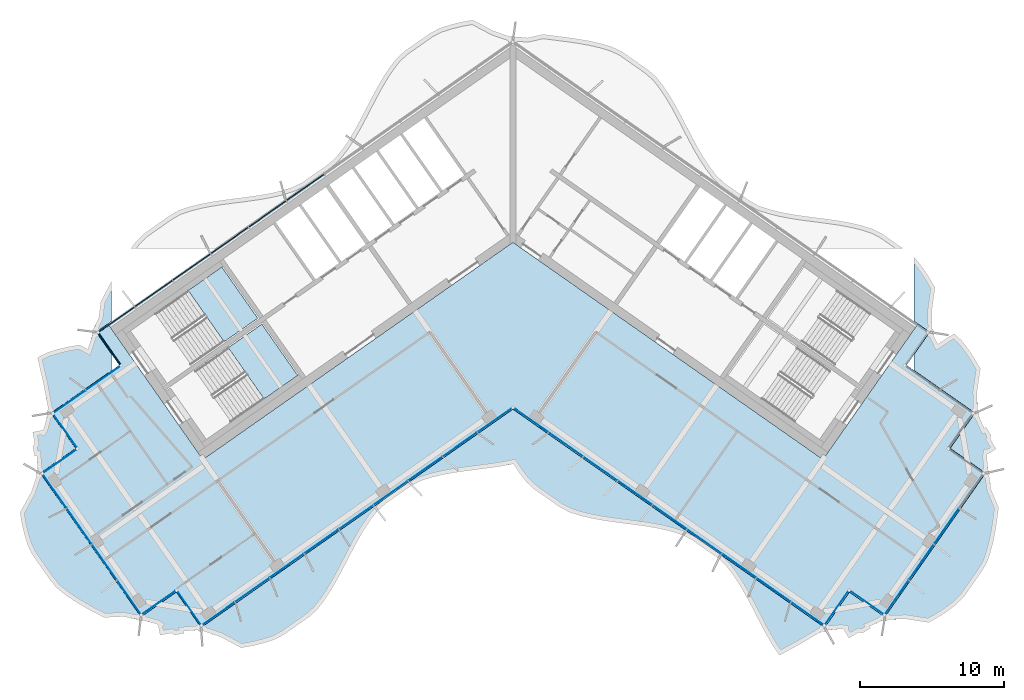
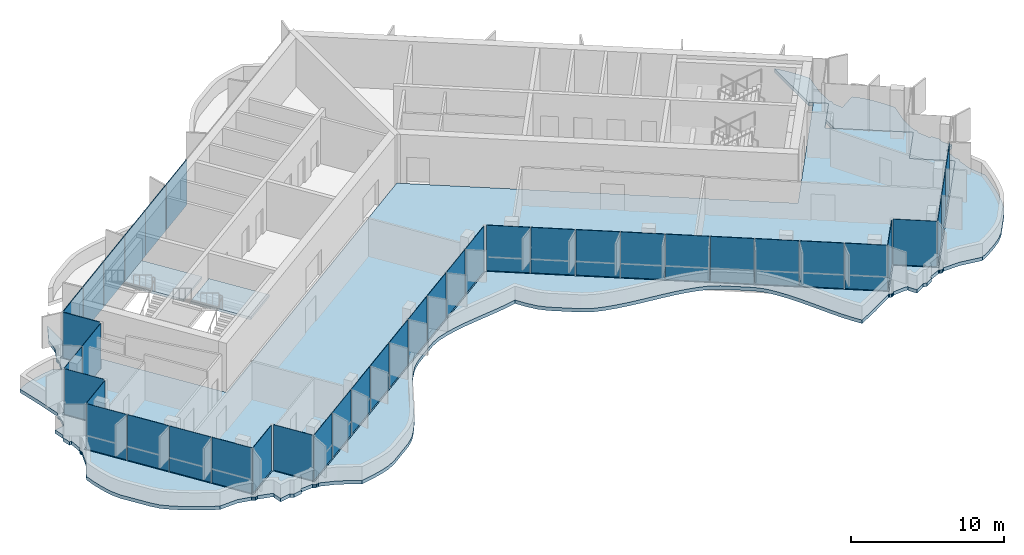
# One storey, part 9 of 19: 40 plates, 4 slabs, 4 elements without a shape of their own.
"""IFC4 building model written with IfcOpenShell, lengths in metres."""

from ifc_helpers import new_model, si_unit, direction, frame, origin, origin_2d, place, context, subcontext, project, spatial, polyline, rectangle, outline, extrude, material, layer, layer_set, type_object, element, aggregate, save


model = new_model("IFC4")

# Units and contexts
model_context = context("Model", 3, precision=1e-05, world=origin(), true_north=direction((0.0, 1.0)))
body_context = subcontext(model_context, "Body", "Model", "MODEL_VIEW")
ifc_project = project(units=[si_unit("LENGTHUNIT", "METRE"), si_unit("AREAUNIT", "SQUARE_METRE"), si_unit("VOLUMEUNIT", "CUBIC_METRE"), si_unit("PLANEANGLEUNIT", "RADIAN"), si_unit("MASSUNIT", "GRAM", prefix="KILO")], contexts=[model_context])

# Site, building, storey
site_placement = place(None, origin())
site = spatial("IfcSite", under=ifc_project, at=site_placement, CompositionType="ELEMENT")
building_placement = place(site_placement, origin())
building = spatial("IfcBuilding", under=site, at=building_placement, Name="Tel Ilan Convention Tower", CompositionType="ELEMENT")
storey_placement = place(building_placement, frame((0.0, 0.0, 241.0)))
storey = spatial("IfcBuildingStorey", under=building, at=storey_placement, Name="L56", CompositionType="ELEMENT", Elevation=241.0)

# Curtain wall, plates
ifc_material_1 = material(Name="Aluminium, bronze anodised", Category="aluminium")
curtain_wall_type_1 = type_object("IfcCurtainWallType", Name="CW2 STICK CURTAIN WALL, SPANDREL PANELS", PredefinedType="NOTDEFINED", material=ifc_material_1)
curtain_wall_1_placement = place(storey_placement, origin())
curtain_wall_1 = element("IfcCurtainWall", 1, at=curtain_wall_1_placement, inside=storey, type_object=curtain_wall_type_1, Name="Curtain wall CW2-43.01", PredefinedType="NOTDEFINED")
ifc_material_2 = material(Name="Aluminium composite panel, bronze anodised", Category="aluminium")
ifc_layer_1 = layer(ifc_material_2, 0.06005859375)
ifc_layer_set_1 = layer_set([ifc_layer_1], Name="CW SPANDREL PANEL 60")
plate_type_1 = type_object("IfcPlateType", Name="CW SPANDREL PANEL 60", PredefinedType="CURTAIN_PANEL", material=ifc_layer_set_1)
plate_1_placement = place(storey_placement, frame((-14.422119140625, 2.59765625, 0.0), z_axis=(0.0, 0.0, 1.0), x_axis=(-0.819152044289, -0.573576436351, 0.0)))
plate_1 = element("IfcPlate", 2, at=plate_1_placement, type_object=plate_type_1, Name="Spandrel panel", PredefinedType="CURTAIN_PANEL", context=body_context, shape_type="SweptSolid", body=[
    extrude(rectangle(XDim=3.15380859375, YDim=0.06005859375, at=origin_2d()), origin(), (0.0, 0.0, 1.0), 3.6201171875),
])
plate_2_placement = place(storey_placement, frame((-17.0546875, 0.754150390625, 0.0), z_axis=(0.0, 0.0, 1.0), x_axis=(-0.819152044289, -0.573576436351, 0.0)))
plate_2 = element("IfcPlate", 3, at=plate_2_placement, type_object=plate_type_1, Name="Spandrel panel", PredefinedType="CURTAIN_PANEL", context=body_context, shape_type="SweptSolid", body=[
    extrude(rectangle(XDim=3.15380859375, YDim=0.06005859375, at=origin_2d()), origin(), (0.0, 0.0, 1.0), 3.6201171875),
])
plate_3_placement = place(storey_placement, frame((-19.687255859375, -1.089111328125, 0.0), z_axis=(0.0, 0.0, 1.0), x_axis=(-0.819152044289, -0.573576436351, 0.0)))
plate_3 = element("IfcPlate", 4, at=plate_3_placement, type_object=plate_type_1, Name="Spandrel panel", PredefinedType="CURTAIN_PANEL", context=body_context, shape_type="SweptSolid", body=[
    extrude(rectangle(XDim=3.15380859375, YDim=0.06005859375, at=origin_2d()), origin(), (0.0, 0.0, 1.0), 3.6201171875),
])
plate_4_placement = place(storey_placement, frame((-22.31982421875, -2.9326171875, 0.0), z_axis=(0.0, 0.0, 1.0), x_axis=(-0.819152044289, -0.573576436351, 0.0)))
plate_4 = element("IfcPlate", 5, at=plate_4_placement, type_object=plate_type_1, Name="Spandrel panel", PredefinedType="CURTAIN_PANEL", context=body_context, shape_type="SweptSolid", body=[
    extrude(rectangle(XDim=3.15380859375, YDim=0.06005859375, at=origin_2d()), origin(), (0.0, 0.0, 1.0), 3.6201171875),
])
plate_5_placement = place(storey_placement, frame((-24.95263671875, -4.77587890625, 0.0), z_axis=(0.0, 0.0, 1.0), x_axis=(-0.819152044289, -0.573576436351, 0.0)))
plate_5 = element("IfcPlate", 6, at=plate_5_placement, type_object=plate_type_1, Name="Spandrel panel", PredefinedType="CURTAIN_PANEL", context=body_context, shape_type="SweptSolid", body=[
    extrude(rectangle(XDim=3.15380859375, YDim=0.06005859375, at=origin_2d()), origin(), (0.0, 0.0, 1.0), 3.6201171875),
])
plate_6_placement = place(storey_placement, frame((-27.5400390625, -6.587646484375, 0.0), z_axis=(0.0, 0.0, 1.0), x_axis=(-0.819152044289, -0.573576436351, 0.0)))
plate_6 = element("IfcPlate", 7, at=plate_6_placement, type_object=plate_type_1, Name="Spandrel panel", PredefinedType="CURTAIN_PANEL", context=body_context, shape_type="SweptSolid", body=[
    extrude(rectangle(XDim=3.0439453125, YDim=0.06005859375, at=origin_2d()), origin(), (0.0, 0.0, 1.0), 3.6201171875),
])
plate_7_placement = place(storey_placement, frame((-28.033935546875, -8.60546875, 0.0), z_axis=(0.0, 0.0, 1.0), x_axis=(0.573576436351, -0.819152044289, 0.0)))
plate_7 = element("IfcPlate", 8, at=plate_7_placement, type_object=plate_type_1, Name="Spandrel panel", PredefinedType="CURTAIN_PANEL", context=body_context, shape_type="SweptSolid", body=[
    extrude(rectangle(XDim=2.658935546875, YDim=0.06005859375, at=origin_2d()), origin(), (0.0, 0.0, 1.0), 3.6201171875),
])
aggregate(curtain_wall_1, [plate_1, plate_2, plate_3, plate_4, plate_5, plate_6, plate_7])

ifc_material_3 = material(Name="Aluminium, bronze anodised", Category="aluminium")
curtain_wall_type_2 = type_object("IfcCurtainWallType", Name="CW5 STICK CURTAIN WALL, UPPER OFFICE LOW-IRON TINTED GLASS", PredefinedType="NOTDEFINED", material=ifc_material_3)
curtain_wall_2_placement = place(storey_placement, origin())
curtain_wall_2 = element("IfcCurtainWall", 9, at=curtain_wall_2_placement, inside=storey, type_object=curtain_wall_type_2, Name="Curtain wall CW5-43.02", PredefinedType="NOTDEFINED")
ifc_material_4 = material(Name="Glass, low-iron bronze tinted, two-ply", Category="glass")
ifc_layer_2 = layer(ifc_material_4, 0.031982421875)
ifc_layer_set_2 = layer_set([ifc_layer_2], Name="CW UPPER GLASS PANEL 32")
plate_type_2 = type_object("IfcPlateType", Name="CW UPPER GLASS PANEL 32", PredefinedType="CURTAIN_PANEL", material=ifc_layer_set_2)
plate_8_placement = place(storey_placement, frame((-28.471435546875, -10.657958984375, 0.0), z_axis=(0.0, 0.0, 1.0), x_axis=(-0.819152044289, -0.573576436351, 0.0)))
plate_8 = element("IfcPlate", 10, at=plate_8_placement, type_object=plate_type_2, Name="Glass panel", PredefinedType="CURTAIN_PANEL", context=body_context, shape_type="SweptSolid", body=[
    extrude(rectangle(XDim=2.868896484375, YDim=0.028076171875, at=origin_2d()), origin(), (0.0, 0.0, 1.0), 3.6201171875),
])
plate_9_placement = place(storey_placement, frame((-30.8203125, -12.302734375, 0.0), z_axis=(0.0, 0.0, 1.0), x_axis=(-0.819152044289, -0.573576436351, 0.0)))
plate_9 = element("IfcPlate", 11, at=plate_9_placement, type_object=plate_type_2, Name="Glass panel", PredefinedType="CURTAIN_PANEL", context=body_context, shape_type="SweptSolid", body=[
    extrude(rectangle(XDim=2.74609375, YDim=0.028076171875, at=origin_2d()), origin(), (0.0, 0.0, 1.0), 3.6201171875),
])
plate_10_placement = place(storey_placement, frame((-31.126220703125, -14.30126953125, 0.0), z_axis=(0.0, 0.0, 1.0), x_axis=(0.573576436351, -0.819152044289, 0.0)))
plate_10 = element("IfcPlate", 12, at=plate_10_placement, type_object=plate_type_2, Name="Glass panel", PredefinedType="CURTAIN_PANEL", context=body_context, shape_type="SweptSolid", body=[
    extrude(rectangle(XDim=2.875, YDim=0.028076171875, at=origin_2d()), origin(), (0.0, 0.0, 1.0), 3.6201171875),
])
plate_11_placement = place(storey_placement, frame((-31.504150390625, -16.44384765625, 0.0), z_axis=(0.0, 0.0, 1.0), x_axis=(-0.819152044289, -0.573576436351, 0.0)))
plate_11 = element("IfcPlate", 13, at=plate_11_placement, type_object=plate_type_2, Name="Glass panel", PredefinedType="CURTAIN_PANEL", context=body_context, shape_type="SweptSolid", body=[
    extrude(rectangle(XDim=2.875, YDim=0.028076171875, at=origin_2d()), origin(), (0.0, 0.0, 1.0), 3.6201171875),
])
plate_12_placement = place(storey_placement, frame((-31.85693359375, -18.488037109375, 0.0), z_axis=(0.0, 0.0, 1.0), x_axis=(0.573576436351, -0.819152044289, 0.0)))
plate_12 = element("IfcPlate", 14, at=plate_12_placement, type_object=plate_type_2, Name="Glass panel", PredefinedType="CURTAIN_PANEL", context=body_context, shape_type="SweptSolid", body=[
    extrude(rectangle(XDim=2.89599609375, YDim=0.028076171875, at=origin_2d()), origin(), (0.0, 0.0, 1.0), 3.6201171875),
])
plate_13_placement = place(storey_placement, frame((-30.134521484375, -20.94775390625, 0.0), z_axis=(0.0, 0.0, 1.0), x_axis=(0.573576436351, -0.819152044289, 0.0)))
plate_13 = element("IfcPlate", 15, at=plate_13_placement, type_object=plate_type_2, Name="Glass panel", PredefinedType="CURTAIN_PANEL", context=body_context, shape_type="SweptSolid", body=[
    extrude(rectangle(XDim=2.989990234375, YDim=0.028076171875, at=origin_2d()), origin(), (0.0, 0.0, 1.0), 3.6201171875),
])
plate_14_placement = place(storey_placement, frame((-28.38525390625, -23.4462890625, 0.0), z_axis=(0.0, 0.0, 1.0), x_axis=(0.573576436351, -0.819152044289, 0.0)))
plate_14 = element("IfcPlate", 16, at=plate_14_placement, type_object=plate_type_2, Name="Glass panel", PredefinedType="CURTAIN_PANEL", context=body_context, shape_type="SweptSolid", body=[
    extrude(rectangle(XDim=2.989990234375, YDim=0.028076171875, at=origin_2d()), origin(), (0.0, 0.0, 1.0), 3.6201171875),
])
plate_15_placement = place(storey_placement, frame((-26.66259765625, -25.90625, 0.0), z_axis=(0.0, 0.0, 1.0), x_axis=(0.573576436351, -0.819152044289, 0.0)))
plate_15 = element("IfcPlate", 17, at=plate_15_placement, type_object=plate_type_2, Name="Glass panel", PredefinedType="CURTAIN_PANEL", context=body_context, shape_type="SweptSolid", body=[
    extrude(rectangle(XDim=2.89599609375, YDim=0.028076171875, at=origin_2d()), origin(), (0.0, 0.0, 1.0), 3.6201171875),
])
plate_16_placement = place(storey_placement, frame((-24.621337890625, -26.273681640625, 0.0), z_axis=(0.0, 0.0, 1.0), x_axis=(0.819152044289, 0.573576436351, 0.0)))
plate_16 = element("IfcPlate", 18, at=plate_16_placement, type_object=plate_type_2, Name="Glass panel", PredefinedType="CURTAIN_PANEL", context=body_context, shape_type="SweptSolid", body=[
    extrude(rectangle(XDim=2.875, YDim=0.028076171875, at=origin_2d()), origin(), (0.0, 0.0, 1.0), 3.6201171875),
])
plate_17_placement = place(storey_placement, frame((-22.478515625, -26.651611328125, 0.0), z_axis=(0.0, 0.0, 1.0), x_axis=(0.573576436351, -0.819152044289, 0.0)))
plate_17 = element("IfcPlate", 19, at=plate_17_placement, type_object=plate_type_2, Name="Glass panel", PredefinedType="CURTAIN_PANEL", context=body_context, shape_type="SweptSolid", body=[
    extrude(rectangle(XDim=2.875, YDim=0.028076171875, at=origin_2d()), origin(), (0.0, 0.0, 1.0), 3.6201171875),
])
plate_18_placement = place(storey_placement, frame((-20.47998046875, -27.036376953125, 0.0), z_axis=(0.0, 0.0, 1.0), x_axis=(0.819152044289, 0.573576436351, 0.0)))
plate_18 = element("IfcPlate", 20, at=plate_18_placement, type_object=plate_type_2, Name="Glass panel", PredefinedType="CURTAIN_PANEL", context=body_context, shape_type="SweptSolid", body=[
    extrude(rectangle(XDim=2.78466796875, YDim=0.028076171875, at=origin_2d()), origin(), (0.0, 0.0, 1.0), 3.6201171875),
])
plate_19_placement = place(storey_placement, frame((-18.111328125, -25.377685546875, 0.0), z_axis=(0.0, 0.0, 1.0), x_axis=(0.819152044289, 0.573576436351, 0.0)))
plate_19 = element("IfcPlate", 21, at=plate_19_placement, type_object=plate_type_2, Name="Glass panel", PredefinedType="CURTAIN_PANEL", context=body_context, shape_type="SweptSolid", body=[
    extrude(rectangle(XDim=2.878662109375, YDim=0.028076171875, at=origin_2d()), origin(), (0.0, 0.0, 1.0), 3.6201171875),
])
plate_20_placement = place(storey_placement, frame((-15.7041015625, -23.692138671875, 0.0), z_axis=(0.0, 0.0, 1.0), x_axis=(0.819152044289, 0.573576436351, 0.0)))
plate_20 = element("IfcPlate", 22, at=plate_20_placement, type_object=plate_type_2, Name="Glass panel", PredefinedType="CURTAIN_PANEL", context=body_context, shape_type="SweptSolid", body=[
    extrude(rectangle(XDim=2.878662109375, YDim=0.028076171875, at=origin_2d()), origin(), (0.0, 0.0, 1.0), 3.6201171875),
])
plate_21_placement = place(storey_placement, frame((-13.296875, -22.006591796875, 0.0), z_axis=(0.0, 0.0, 1.0), x_axis=(0.819152044289, 0.573576436351, 0.0)))
plate_21 = element("IfcPlate", 23, at=plate_21_placement, type_object=plate_type_2, Name="Glass panel", PredefinedType="CURTAIN_PANEL", context=body_context, shape_type="SweptSolid", body=[
    extrude(rectangle(XDim=2.878662109375, YDim=0.028076171875, at=origin_2d()), origin(), (0.0, 0.0, 1.0), 3.6201171875),
])
plate_22_placement = place(storey_placement, frame((-10.8896484375, -20.321044921875, 0.0), z_axis=(0.0, 0.0, 1.0), x_axis=(0.819152044289, 0.573576436351, 0.0)))
plate_22 = element("IfcPlate", 24, at=plate_22_placement, type_object=plate_type_2, Name="Glass panel", PredefinedType="CURTAIN_PANEL", context=body_context, shape_type="SweptSolid", body=[
    extrude(rectangle(XDim=2.878662109375, YDim=0.028076171875, at=origin_2d()), origin(), (0.0, 0.0, 1.0), 3.6201171875),
])
plate_23_placement = place(storey_placement, frame((-8.482666015625, -18.635498046875, 0.0), z_axis=(0.0, 0.0, 1.0), x_axis=(0.819152044289, 0.573576436351, 0.0)))
plate_23 = element("IfcPlate", 25, at=plate_23_placement, type_object=plate_type_2, Name="Glass panel", PredefinedType="CURTAIN_PANEL", context=body_context, shape_type="SweptSolid", body=[
    extrude(rectangle(XDim=2.878662109375, YDim=0.028076171875, at=origin_2d()), origin(), (0.0, 0.0, 1.0), 3.6201171875),
])
plate_24_placement = place(storey_placement, frame((-6.075439453125, -16.949951171875, 0.0), z_axis=(0.0, 0.0, 1.0), x_axis=(0.819152044289, 0.573576436351, 0.0)))
plate_24 = element("IfcPlate", 26, at=plate_24_placement, type_object=plate_type_2, Name="Glass panel", PredefinedType="CURTAIN_PANEL", context=body_context, shape_type="SweptSolid", body=[
    extrude(rectangle(XDim=2.878662109375, YDim=0.028076171875, at=origin_2d()), origin(), (0.0, 0.0, 1.0), 3.6201171875),
])
plate_25_placement = place(storey_placement, frame((-3.668212890625, -15.264404296875, 0.0), z_axis=(0.0, 0.0, 1.0), x_axis=(0.819152044289, 0.573576436351, 0.0)))
plate_25 = element("IfcPlate", 27, at=plate_25_placement, type_object=plate_type_2, Name="Glass panel", PredefinedType="CURTAIN_PANEL", context=body_context, shape_type="SweptSolid", body=[
    extrude(rectangle(XDim=2.878662109375, YDim=0.028076171875, at=origin_2d()), origin(), (0.0, 0.0, 1.0), 3.6201171875),
])
plate_26_placement = place(storey_placement, frame((-1.261474609375, -13.579345703125, 0.0), z_axis=(0.0, 0.0, 1.0), x_axis=(0.819152044289, 0.573576436351, 0.0)))
plate_26 = element("IfcPlate", 28, at=plate_26_placement, type_object=plate_type_2, Name="Glass panel", PredefinedType="CURTAIN_PANEL", context=body_context, shape_type="SweptSolid", body=[
    extrude(rectangle(XDim=2.877685546875, YDim=0.028076171875, at=origin_2d()), origin(), (0.0, 0.0, 1.0), 3.6201171875),
])
plate_27_placement = place(storey_placement, frame((1.27294921875, -13.58740234375, 0.0), z_axis=(0.0, 0.0, 1.0), x_axis=(0.819152044289, -0.573576436351, 0.0)))
plate_27 = element("IfcPlate", 29, at=plate_27_placement, type_object=plate_type_2, Name="Glass panel", PredefinedType="CURTAIN_PANEL", context=body_context, shape_type="SweptSolid", body=[
    extrude(rectangle(XDim=2.849609375, YDim=0.028076171875, at=origin_2d()), origin(), (0.0, 0.0, 1.0), 3.6201171875),
])
plate_28_placement = place(storey_placement, frame((3.668212890625, -15.264404296875, 0.0), z_axis=(0.0, 0.0, 1.0), x_axis=(0.819152044289, -0.573576436351, 0.0)))
plate_28 = element("IfcPlate", 30, at=plate_28_placement, type_object=plate_type_2, Name="Glass panel", PredefinedType="CURTAIN_PANEL", context=body_context, shape_type="SweptSolid", body=[
    extrude(rectangle(XDim=2.878662109375, YDim=0.028076171875, at=origin_2d()), origin(), (0.0, 0.0, 1.0), 3.6201171875),
])
plate_29_placement = place(storey_placement, frame((6.075439453125, -16.949951171875, 0.0), z_axis=(0.0, 0.0, 1.0), x_axis=(0.819152044289, -0.573576436351, 0.0)))
plate_29 = element("IfcPlate", 31, at=plate_29_placement, type_object=plate_type_2, Name="Glass panel", PredefinedType="CURTAIN_PANEL", context=body_context, shape_type="SweptSolid", body=[
    extrude(rectangle(XDim=2.878662109375, YDim=0.028076171875, at=origin_2d()), origin(), (0.0, 0.0, 1.0), 3.6201171875),
])
plate_30_placement = place(storey_placement, frame((8.482666015625, -18.635498046875, 0.0), z_axis=(0.0, 0.0, 1.0), x_axis=(0.819152044289, -0.573576436351, 0.0)))
plate_30 = element("IfcPlate", 32, at=plate_30_placement, type_object=plate_type_2, Name="Glass panel", PredefinedType="CURTAIN_PANEL", context=body_context, shape_type="SweptSolid", body=[
    extrude(rectangle(XDim=2.878662109375, YDim=0.028076171875, at=origin_2d()), origin(), (0.0, 0.0, 1.0), 3.6201171875),
])
plate_31_placement = place(storey_placement, frame((10.8896484375, -20.321044921875, 0.0), z_axis=(0.0, 0.0, 1.0), x_axis=(0.819152044289, -0.573576436351, 0.0)))
plate_31 = element("IfcPlate", 33, at=plate_31_placement, type_object=plate_type_2, Name="Glass panel", PredefinedType="CURTAIN_PANEL", context=body_context, shape_type="SweptSolid", body=[
    extrude(rectangle(XDim=2.878662109375, YDim=0.028076171875, at=origin_2d()), origin(), (0.0, 0.0, 1.0), 3.6201171875),
])
plate_32_placement = place(storey_placement, frame((13.296875, -22.006591796875, 0.0), z_axis=(0.0, 0.0, 1.0), x_axis=(0.819152044289, -0.573576436351, 0.0)))
plate_32 = element("IfcPlate", 34, at=plate_32_placement, type_object=plate_type_2, Name="Glass panel", PredefinedType="CURTAIN_PANEL", context=body_context, shape_type="SweptSolid", body=[
    extrude(rectangle(XDim=2.878662109375, YDim=0.028076171875, at=origin_2d()), origin(), (0.0, 0.0, 1.0), 3.6201171875),
])
plate_33_placement = place(storey_placement, frame((15.7041015625, -23.692138671875, 0.0), z_axis=(0.0, 0.0, 1.0), x_axis=(0.819152044289, -0.573576436351, 0.0)))
plate_33 = element("IfcPlate", 35, at=plate_33_placement, type_object=plate_type_2, Name="Glass panel", PredefinedType="CURTAIN_PANEL", context=body_context, shape_type="SweptSolid", body=[
    extrude(rectangle(XDim=2.878662109375, YDim=0.028076171875, at=origin_2d()), origin(), (0.0, 0.0, 1.0), 3.6201171875),
])
plate_34_placement = place(storey_placement, frame((18.111328125, -25.377685546875, 0.0), z_axis=(0.0, 0.0, 1.0), x_axis=(0.819152044289, -0.573576436351, 0.0)))
plate_34 = element("IfcPlate", 36, at=plate_34_placement, type_object=plate_type_2, Name="Glass panel", PredefinedType="CURTAIN_PANEL", context=body_context, shape_type="SweptSolid", body=[
    extrude(rectangle(XDim=2.878662109375, YDim=0.028076171875, at=origin_2d()), origin(), (0.0, 0.0, 1.0), 3.6201171875),
])
plate_35_placement = place(storey_placement, frame((20.47998046875, -27.036376953125, 0.0), z_axis=(0.0, 0.0, 1.0), x_axis=(0.819152044289, -0.573576436351, 0.0)))
plate_35 = element("IfcPlate", 37, at=plate_35_placement, type_object=plate_type_2, Name="Glass panel", PredefinedType="CURTAIN_PANEL", context=body_context, shape_type="SweptSolid", body=[
    extrude(rectangle(XDim=2.78466796875, YDim=0.028076171875, at=origin_2d()), origin(), (0.0, 0.0, 1.0), 3.6201171875),
])
plate_36_placement = place(storey_placement, frame((22.478515625, -26.651611328125, 0.0), z_axis=(0.0, 0.0, 1.0), x_axis=(0.573576436351, 0.819152044289, 0.0)))
plate_36 = element("IfcPlate", 38, at=plate_36_placement, type_object=plate_type_2, Name="Glass panel", PredefinedType="CURTAIN_PANEL", context=body_context, shape_type="SweptSolid", body=[
    extrude(rectangle(XDim=2.875, YDim=0.028076171875, at=origin_2d()), origin(), (0.0, 0.0, 1.0), 3.6201171875),
])
plate_37_placement = place(storey_placement, frame((24.621337890625, -26.273681640625, 0.0), z_axis=(0.0, 0.0, 1.0), x_axis=(0.819152044289, -0.573576436351, 0.0)))
plate_37 = element("IfcPlate", 39, at=plate_37_placement, type_object=plate_type_2, Name="Glass panel", PredefinedType="CURTAIN_PANEL", context=body_context, shape_type="SweptSolid", body=[
    extrude(rectangle(XDim=2.875, YDim=0.028076171875, at=origin_2d()), origin(), (0.0, 0.0, 1.0), 3.6201171875),
])
plate_38_placement = place(storey_placement, frame((26.66259765625, -25.90625, 0.0), z_axis=(0.0, 0.0, 1.0), x_axis=(0.573576436351, 0.819152044289, 0.0)))
plate_38 = element("IfcPlate", 40, at=plate_38_placement, type_object=plate_type_2, Name="Glass panel", PredefinedType="CURTAIN_PANEL", context=body_context, shape_type="SweptSolid", body=[
    extrude(rectangle(XDim=2.89599609375, YDim=0.028076171875, at=origin_2d()), origin(), (0.0, 0.0, 1.0), 3.6201171875),
])
plate_39_placement = place(storey_placement, frame((28.38525390625, -23.4462890625, 0.0), z_axis=(0.0, 0.0, 1.0), x_axis=(0.573576436351, 0.819152044289, 0.0)))
plate_39 = element("IfcPlate", 41, at=plate_39_placement, type_object=plate_type_2, Name="Glass panel", PredefinedType="CURTAIN_PANEL", context=body_context, shape_type="SweptSolid", body=[
    extrude(rectangle(XDim=2.989990234375, YDim=0.028076171875, at=origin_2d()), origin(), (0.0, 0.0, 1.0), 3.6201171875),
])
plate_40_placement = place(storey_placement, frame((30.134521484375, -20.94775390625, 0.0), z_axis=(0.0, 0.0, 1.0), x_axis=(0.573576436351, 0.819152044289, 0.0)))
plate_40 = element("IfcPlate", 42, at=plate_40_placement, type_object=plate_type_2, Name="Glass panel", PredefinedType="CURTAIN_PANEL", context=body_context, shape_type="SweptSolid", body=[
    extrude(rectangle(XDim=2.989990234375, YDim=0.028076171875, at=origin_2d()), origin(), (0.0, 0.0, 1.0), 3.6201171875),
])
aggregate(curtain_wall_2, [plate_8, plate_9, plate_10, plate_11, plate_12, plate_13, plate_14, plate_15, plate_16, plate_17, plate_18, plate_19, plate_20, plate_21, plate_22, plate_23, plate_24, plate_25, plate_26, plate_27, plate_28, plate_29, plate_30, plate_31, plate_32, plate_33, plate_34, plate_35, plate_36, plate_37, plate_38, plate_39, plate_40])

# Stair, slab
ifc_material_5 = material(Name="Concrete C40/50", Category="concrete")
stair_type = type_object("IfcStairType", Name="Pressurised Exit Stair 22 risers 177 mm", PredefinedType="HALF_TURN_STAIR", material=ifc_material_5)
stair_1_placement = place(storey_placement, origin())
stair_1 = element("IfcStair", 43, at=stair_1_placement, inside=storey, type_object=stair_type, Name="L56 Pressurised Stair S1", PredefinedType="HALF_TURN_STAIR")
ifc_material_6 = material(Name="Concrete C40/50", Category="concrete")
ifc_layer_3 = layer(ifc_material_6, 0.199951171875)
ifc_layer_set_3 = layer_set([ifc_layer_3], Name="Concrete Stair Landing 200 mm C40/50")
slab_type_1 = type_object("IfcSlabType", Name="Concrete Stair Landing 200 mm", PredefinedType="LANDING", material=ifc_layer_set_3)
slab_1_placement = place(storey_placement, frame((0.0, 0.0, 1.75)))
slab_1 = element("IfcSlab", 44, at=slab_1_placement, type_object=slab_type_1, Name="S1 landing 1", PredefinedType="LANDING", context=body_context, shape_type="SweptSolid", body=[
    extrude(outline(polyline([(-20.066650390625, -8.130126953125), (-17.7314453125, -6.494873046875), (-20.226318359375, -2.931640625), (-22.561767578125, -4.566650390625), (-20.066650390625, -8.130126953125)])), origin(), (0.0, 0.0, 1.0), 0.199951171875),
])
aggregate(stair_1, [slab_1])

stair_2_placement = place(storey_placement, origin())
stair_2 = element("IfcStair", 45, at=stair_2_placement, inside=storey, type_object=stair_type, Name="L56 Pressurised Stair S2", PredefinedType="HALF_TURN_STAIR")
slab_2_placement = place(storey_placement, frame((0.0, 0.0, 1.75)))
slab_2 = element("IfcSlab", 46, at=slab_2_placement, type_object=slab_type_1, Name="S2 landing 1", PredefinedType="LANDING", context=body_context, shape_type="SweptSolid", body=[
    extrude(outline(polyline([(-17.28466796875, -12.10302734375), (-14.949462890625, -10.4677734375), (-17.444580078125, -6.904541015625), (-19.77978515625, -8.53955078125), (-17.28466796875, -12.10302734375)])), origin(), (0.0, 0.0, 1.0), 0.199951171875),
])
aggregate(stair_2, [slab_2])

# Slabs
ifc_material_7 = material(Name="Concrete C40/50", Category="concrete")
ifc_layer_4 = layer(ifc_material_7, 0.280029296875)
ifc_layer_set_4 = layer_set([ifc_layer_4], Name="Edge Ledge Slab 280 mm C40/50")
slab_type_2 = type_object("IfcSlabType", Name="Edge Ledge Slab 280 mm C40/50", PredefinedType="FLOOR", material=ifc_layer_set_4)
slab_3_placement = place(storey_placement, frame((0.0, 0.0, -0.280029296875)))
element("IfcSlab", 47, at=slab_3_placement, inside=storey, type_object=slab_type_2, Name="L56 edge ledge 1", PredefinedType="FLOOR", context=body_context, shape_type="SweptSolid", body=[
    extrude(outline(polyline([(-22.855224609375, -28.3798828125), (-23.49462890625, -28.5126953125), (-23.728759765625, -28.3701171875), (-24.51416015625, -28.518310546875), (-24.64697265625, -27.87890625), (-24.61669921875, -27.8291015625), (-24.7724609375, -27.73388671875), (-25.6708984375, -27.4970703125), (-25.67431640625, -27.4921875), (-25.728271484375, -27.5283203125), (-25.843017578125, -27.55126953125), (-25.957763671875, -27.5283203125), (-26.05517578125, -27.46337890625), (-26.083984375, -27.420166015625), (-26.088623046875, -27.42333984375), (-27.05419921875, -27.223388671875), (-28.398193359375, -27.288330078125), (-29.12353515625, -26.920166015625), (-29.82373046875, -26.5341796875), (-30.49462890625, -26.1279296875), (-31.125732421875, -25.69384765625), (-31.707763671875, -25.22509765625), (-32.166748046875, -24.670654296875), (-33.401611328125, -22.906982421875), (-33.7158203125, -22.2509765625), (-33.940185546875, -21.531982421875), (-34.1181640625, -20.780517578125), (-34.248779296875, -19.995849609375), (-33.47021484375, -18.574462890625), (-33.08642578125, -17.4296875), (-33.081787109375, -17.426513671875), (-33.117919921875, -17.372314453125), (-33.140625, -17.257568359375), (-33.117919921875, -17.142822265625), (-33.052734375, -17.04541015625), (-33.009521484375, -17.0166015625), (-33.0126953125, -17.011962890625), (-33.085693359375, -16.03955078125), (-33.232666015625, -16.067138671875), (-33.365478515625, -15.427490234375), (-33.22265625, -15.193603515625), (-33.370849609375, -14.408203125), (-32.7314453125, -14.275390625), (-32.681640625, -14.3056640625), (-32.586669921875, -14.14990234375), (-32.349609375, -13.25146484375), (-32.344970703125, -13.248291015625), (-32.381103515625, -13.194091796875), (-32.40380859375, -13.079345703125), (-32.381103515625, -12.964599609375), (-32.31591796875, -12.8671875), (-32.272705078125, -12.83837890625), (-32.27587890625, -12.833740234375), (-32.6083984375, -11.094970703125), (-33.031982421875, -9.225830078125), (-32.382080078125, -8.890380859375), (-31.6572265625, -8.661376953125), (-30.899169921875, -8.47998046875), (-30.110107421875, -8.3427734375), (-29.537353515625, -8.652587890625), (-29.20458984375, -7.631103515625), (-29.199951171875, -7.6279296875), (-29.236083984375, -7.57373046875), (-29.2587890625, -7.458984375), (-29.236083984375, -7.34423828125), (-29.1708984375, -7.246826171875), (-29.127685546875, -7.218017578125), (-29.130859375, -7.21337890625), (-28.772216796875, -6.441650390625), (-28.635009765625, -5.353515625), (-28.252685546875, -4.614990234375), (-27.875, -3.881103515625), (-27.875, -6.7001953125), (-28.958740234375, -7.458984375), (-27.875, -9.007080078125), (-27.875, -10.1181640625), (-32.10400390625, -13.079345703125), (-30.383056640625, -15.536865234375), (-32.840576171875, -17.257568359375), (-25.843017578125, -27.251220703125), (-23.385498046875, -25.530517578125), (-21.664794921875, -27.988037109375), (0.0, -12.818115234375), (21.664794921875, -27.988037109375), (23.385498046875, -25.530517578125), (25.843017578125, -27.251220703125), (32.840576171875, -17.257568359375), (30.383056640625, -15.536865234375), (32.10400390625, -13.079345703125), (27.875, -10.1181640625), (27.875, -9.007080078125), (28.958740234375, -7.458984375), (27.875, -6.7001953125), (27.875, -2.269287109375), (28.0107421875, -2.392578125), (28.48388671875, -3.001220703125), (28.922119140625, -3.6591796875), (29.331298828125, -4.35888671875), (29.109619140625, -5.95947265625), (29.130859375, -7.21337890625), (29.127685546875, -7.218017578125), (29.1708984375, -7.246826171875), (29.236083984375, -7.34423828125), (29.2587890625, -7.458984375), (29.236083984375, -7.57373046875), (29.199951171875, -7.6279296875), (29.20458984375, -7.631103515625), (29.52001953125, -8.2939453125), (30.656494140625, -7.5625), (31.194091796875, -8.05859375), (31.6572265625, -8.661376953125), (32.0869140625, -9.3115234375), (32.485595703125, -10.006103515625), (32.248779296875, -11.6083984375), (32.27587890625, -12.833740234375), (32.272705078125, -12.83837890625), (32.31591796875, -12.8671875), (32.381103515625, -12.964599609375), (32.40380859375, -13.079345703125), (32.381103515625, -13.194091796875), (32.344970703125, -13.248291015625), (32.349609375, -13.25146484375), (32.7509765625, -14.14013671875), (32.87939453125, -14.06396484375), (33.222900390625, -14.619384765625), (33.1689453125, -14.88818359375), (33.576904296875, -15.57568359375), (33.021240234375, -15.919189453125), (32.964111328125, -15.90771484375), (32.927978515625, -16.086669921875), (33.0126953125, -17.011962890625), (33.009521484375, -17.0166015625), (33.052734375, -17.04541015625), (33.117919921875, -17.142822265625), (33.140625, -17.257568359375), (33.117919921875, -17.372314453125), (33.081787109375, -17.426513671875), (33.08642578125, -17.4296875), (33.228759765625, -18.405517578125), (33.749267578125, -19.64599609375), (33.6513671875, -20.45361328125), (33.5283203125, -21.243408203125), (33.376220703125, -22.012939453125), (33.183837890625, -22.75439453125), (32.9423828125, -23.461669921875), (32.57861328125, -24.082763671875), (31.343505859375, -25.84619140625), (30.83447265625, -26.365966796875), (30.235595703125, -26.82275390625), (29.59033203125, -27.246826171875), (28.897705078125, -27.637939453125), (27.2958984375, -27.392578125), (26.088623046875, -27.42333984375), (26.083984375, -27.420166015625), (26.05517578125, -27.46337890625), (25.957763671875, -27.5283203125), (25.843017578125, -27.55126953125), (25.728271484375, -27.5283203125), (25.67431640625, -27.4921875), (25.6708984375, -27.4970703125), (24.7822265625, -27.898193359375), (24.8583984375, -28.02685546875), (24.302978515625, -28.3701171875), (24.0341796875, -28.31640625), (23.3466796875, -28.72412109375), (23.00341796875, -28.168701171875), (23.0146484375, -28.111328125), (22.835693359375, -28.075439453125), (21.910400390625, -28.16015625), (21.906005859375, -28.15673828125), (21.876953125, -28.2001953125), (21.779541015625, -28.26513671875), (21.664794921875, -28.2880859375), (21.550048828125, -28.26513671875), (21.49609375, -28.22900390625), (21.49267578125, -28.233642578125), (19.969482421875, -29.128173828125), (18.5185546875, -29.919677734375), (18.077880859375, -29.268310546875), (17.6669921875, -28.573974609375), (17.27587890625, -27.851806640625), (16.894775390625, -27.115234375), (16.51416015625, -26.377685546875), (16.12451171875, -25.653564453125), (15.71630859375, -24.955810546875), (15.28125, -24.29638671875), (14.811767578125, -23.685791015625), (14.27099609375, -23.177001953125), (12.4658203125, -21.9130859375), (11.811767578125, -21.56591796875), (11.080810546875, -21.329345703125), (10.314697265625, -21.142333984375), (9.521240234375, -20.99462890625), (8.70849609375, -20.87451171875), (7.885986328125, -20.7685546875), (7.06298828125, -20.6630859375), (6.24951171875, -20.5439453125), (5.45458984375, -20.398193359375), (4.68701171875, -20.213623046875), (3.953857421875, -19.979736328125), (3.2939453125, -19.6416015625), (1.488525390625, -18.377197265625), (0.94189453125, -17.877197265625), (0.470458984375, -17.269775390625), (0.03369140625, -16.61279296875), (0.033203125, -16.6123046875), (-0.023681640625, -16.626708984375), (-0.816650390625, -16.775146484375), (-1.62890625, -16.895751953125), (-2.45166015625, -17.001953125), (-3.274658203125, -17.107421875), (-4.08837890625, -17.225830078125), (-4.8837890625, -17.370849609375), (-5.65234375, -17.55419921875), (-6.386474609375, -17.78662109375), (-7.049560546875, -18.12060546875), (-8.85498046875, -19.384521484375), (-9.404541015625, -19.880615234375), (-9.877197265625, -20.486572265625), (-10.314697265625, -21.142333984375), (-10.724853515625, -21.83740234375), (-11.11572265625, -22.56005859375), (-11.49658203125, -23.296875), (-11.877197265625, -24.0341796875), (-12.267333984375, -24.7578125), (-12.67626953125, -25.454833984375), (-13.1123046875, -26.113037109375), (-13.582763671875, -26.721923828125), (-14.12646484375, -27.226318359375), (-15.931884765625, -28.490478515625), (-16.588623046875, -28.833251953125), (-17.32080078125, -29.068603515625), (-18.08740234375, -29.25439453125), (-18.88330078125, -29.3984375), (-20.311279296875, -28.64013671875), (-21.49267578125, -28.233642578125), (-21.49609375, -28.22900390625), (-21.550048828125, -28.26513671875), (-21.664794921875, -28.2880859375), (-21.779541015625, -28.26513671875), (-21.876953125, -28.2001953125), (-21.906005859375, -28.15673828125), (-21.910400390625, -28.16015625), (-22.8828125, -28.233154296875), (-22.855224609375, -28.3798828125)])), origin(), (0.0, 0.0, 1.0), 0.280029296875),
])
ifc_material_8 = material(Name="Concrete C40/50", Category="concrete")
ifc_layer_5 = layer(ifc_material_8, 0.280029296875)
ifc_layer_set_5 = layer_set([ifc_layer_5], Name="Flat Plate Floor Slab 280 mm C40/50")
slab_type_3 = type_object("IfcSlabType", Name="Flat Plate Floor Slab 280 mm C40/50", PredefinedType="FLOOR", material=ifc_layer_set_5)
slab_4_placement = place(storey_placement, frame((0.0, 0.0, -0.280029296875)))
element("IfcSlab", 48, at=slab_4_placement, inside=storey, type_object=slab_type_3, Name="L56 floor slab", PredefinedType="FLOOR", context=body_context, shape_type="SweptSolid", body=[
    extrude(outline(polyline([(21.54345703125, -16.3056640625), (28.1396484375, -6.885498046875), (28.958740234375, -7.458984375), (27.352783203125, -9.752685546875), (32.10400390625, -13.079345703125), (30.383056640625, -15.536865234375), (32.840576171875, -17.257568359375), (25.843017578125, -27.251220703125), (23.385498046875, -25.530517578125), (21.664794921875, -27.988037109375), (0.0, -12.818115234375), (-21.664794921875, -27.988037109375), (-23.385498046875, -25.530517578125), (-25.843017578125, -27.251220703125), (-32.840576171875, -17.257568359375), (-30.383056640625, -15.536865234375), (-32.10400390625, -13.079345703125), (-27.352783203125, -9.752685546875), (-28.958740234375, -7.458984375), (-28.1396484375, -6.885498046875), (-21.54345703125, -16.3056640625), (0.0, -1.220703125), (21.54345703125, -16.3056640625)])), origin(), (0.0, 0.0, 1.0), 0.280029296875),
])

save(model, "model.ifc")
